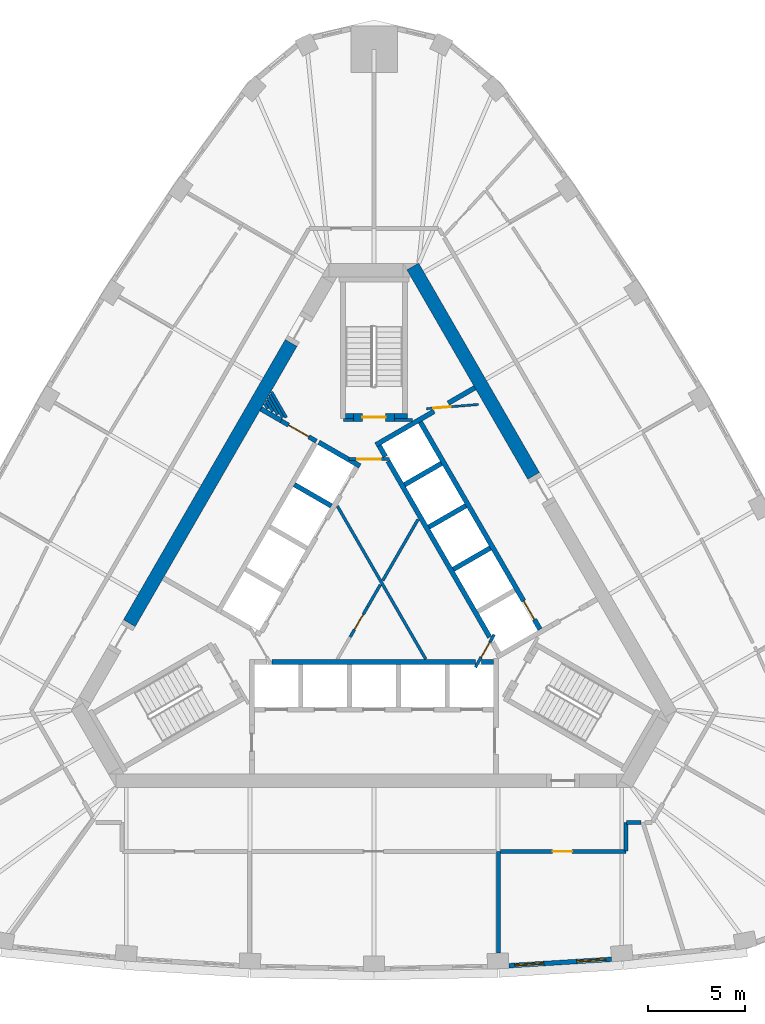
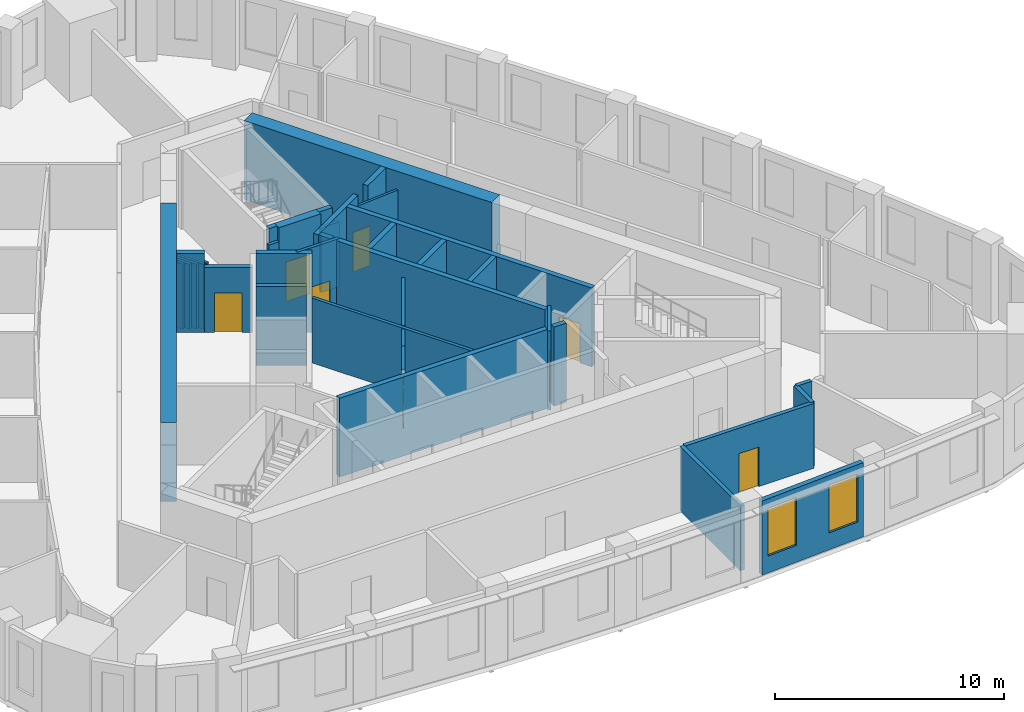
# One storey, part 5 of 11: 38 walls, 8 doors, 2 windows, 10 openings.
"""IFC4 building model written with IfcOpenShell, lengths in metres."""

from ifc_helpers import new_model, si_unit, direction, frame, frame_2d, origin, place, context, subcontext, project, spatial, polyline, rectangle, outline, extrude, material, layer, layer_set, type_object, element, fill, save


model = new_model("IFC4")

# Units and contexts
model_context = context("Model", 3, precision=1e-05, world=origin(), true_north=direction((0.0, 1.0)))
body_context = subcontext(model_context, "Body", "Model", "MODEL_VIEW")
ifc_project = project(units=[si_unit("LENGTHUNIT", "METRE"), si_unit("AREAUNIT", "SQUARE_METRE"), si_unit("VOLUMEUNIT", "CUBIC_METRE"), si_unit("PLANEANGLEUNIT", "RADIAN"), si_unit("MASSUNIT", "GRAM", prefix="KILO")], contexts=[model_context])

# Site, building, storey
site_placement = place(None, origin())
site = spatial("IfcSite", under=ifc_project, at=site_placement, CompositionType="ELEMENT")
building_placement = place(site_placement, origin())
building = spatial("IfcBuilding", under=site, at=building_placement, Name="Mestral Congress Tower", CompositionType="ELEMENT")
storey_placement = place(building_placement, frame((0.0, 0.0, 201.60009765625)))
storey = spatial("IfcBuildingStorey", under=building, at=storey_placement, Name="L47", CompositionType="ELEMENT", Elevation=201.60009765625)

# Walls
ifc_material_1 = material(Name="Fire-rated board partition")
ifc_layer_1 = layer(ifc_material_1, 0.14990234375)
ifc_layer_set_1 = layer_set([ifc_layer_1], Name="Fire-rated board partition")
wall_type_1 = type_object("IfcWallType", Name="Core partition 150", PredefinedType="PARTITIONING", material=ifc_layer_set_1)
wall_1_placement = place(storey_placement, frame((-5.2939453125, 10.067138671875, 0.0), z_axis=(0.0, 0.0, 1.0), x_axis=(0.500054140411, -0.865994143547, 0.0)))
element("IfcWall", 1, at=wall_1_placement, inside=storey, type_object=wall_type_1, Name="L47 core wall", PredefinedType="PARTITIONING", context=body_context, shape_type="SweptSolid", body=[
    extrude(rectangle(XDim=1.529052734375, YDim=0.14990234375, at=frame_2d((0.7646484375, 0.0))), origin(), (0.0, 0.0, 1.0), 3.449951171875),
])
wall_2_placement = place(storey_placement, frame((-5.380615234375, 9.917236328125, 0.0), z_axis=(0.0, 0.0, 1.0), x_axis=(0.500136970483, -0.865946309396, 0.0)))
element("IfcWall", 2, at=wall_2_placement, inside=storey, type_object=wall_type_1, Name="L47 core wall", PredefinedType="PARTITIONING", context=body_context, shape_type="SweptSolid", body=[
    extrude(rectangle(XDim=1.359375, YDim=0.14990234375, at=frame_2d((0.6796875, 0.0))), origin(), (0.0, 0.0, 1.0), 3.449951171875),
])
wall_3_placement = place(storey_placement, frame((-5.467041015625, 9.76708984375, 0.0), z_axis=(0.0, 0.0, 1.0), x_axis=(0.500168849293, -0.86592789665, 0.0)))
element("IfcWall", 3, at=wall_3_placement, inside=storey, type_object=wall_type_1, Name="L47 core wall", PredefinedType="PARTITIONING", context=body_context, shape_type="SweptSolid", body=[
    extrude(rectangle(XDim=1.010009765625, YDim=0.14990234375, at=frame_2d((0.5048828125, 0.0))), origin(), (0.0, 0.0, 1.0), 3.449951171875),
])
wall_4_placement = place(storey_placement, frame((-5.5537109375, 9.6171875, 0.0), z_axis=(0.0, 0.0, 1.0), x_axis=(0.500253084543, -0.86587923604, 0.0)))
element("IfcWall", 4, at=wall_4_placement, inside=storey, type_object=wall_type_1, Name="L47 core wall", PredefinedType="PARTITIONING", context=body_context, shape_type="SweptSolid", body=[
    extrude(rectangle(XDim=0.663818359375, YDim=0.14990234375, at=frame_2d((0.33203125, 0.0))), origin(), (0.0, 0.0, 1.0), 3.449951171875),
])
wall_5_placement = place(storey_placement, frame((-5.640380859375, 9.46728515625, 0.0), z_axis=(0.0, 0.0, 1.0), x_axis=(0.499944387978, -0.86605750902, 0.0)))
element("IfcWall", 5, at=wall_5_placement, inside=storey, type_object=wall_type_1, Name="L47 core wall", PredefinedType="PARTITIONING", context=body_context, shape_type="SweptSolid", body=[
    extrude(rectangle(XDim=0.3173828125, YDim=0.14990234375, at=frame_2d((0.15869140625, 0.0))), origin(), (0.0, 0.0, 1.0), 3.449951171875),
])
wall_6_placement = place(storey_placement, frame((1.050048828125, 8.62548828125, 0.0), z_axis=(0.0, 0.0, 1.0), x_axis=(1.0, 0.0, 0.0)))
element("IfcWall", 6, at=wall_6_placement, inside=storey, type_object=wall_type_1, Name="L47 core wall", PredefinedType="PARTITIONING", context=body_context, shape_type="SweptSolid", body=[
    extrude(rectangle(XDim=0.9287109375, YDim=0.14990234375, at=frame_2d((0.46435546875, 0.0))), origin(), (0.0, 0.0, 1.0), 3.449951171875),
])
wall_7_placement = place(storey_placement, frame((-1.56396484375, 8.62548828125, 0.0), z_axis=(0.0, 0.0, 1.0), x_axis=(1.0, 0.0, 0.0)))
element("IfcWall", 7, at=wall_7_placement, inside=storey, type_object=wall_type_1, Name="L47 core wall", PredefinedType="PARTITIONING", context=body_context, shape_type="SweptSolid", body=[
    extrude(rectangle(XDim=0.513916015625, YDim=0.14990234375, at=frame_2d((0.2568359375, 0.0))), origin(), (0.0, 0.0, 1.0), 3.449951171875),
])
wall_8_placement = place(storey_placement, frame((-1.886962890625, 4.168212890625, 0.0), z_axis=(0.0, 0.0, 1.0), x_axis=(0.499997069472, -0.866027095719, 0.0)))
element("IfcWall", 8, at=wall_8_placement, inside=storey, type_object=wall_type_1, Name="L47 core wall", PredefinedType="PARTITIONING", context=body_context, shape_type="SweptSolid", body=[
    extrude(rectangle(XDim=9.1064453125, YDim=0.14990234375, at=frame_2d((4.55322265625, 0.0))), origin(), (0.0, 0.0, 1.0), 3.449951171875),
])
wall_9_placement = place(storey_placement, frame((-0.329345703125, -1.0205078125, 0.0), z_axis=(0.0, 0.0, 1.0), x_axis=(0.500033191285, 0.866006239939, 0.0)))
element("IfcWall", 9, at=wall_9_placement, inside=storey, type_object=wall_type_1, Name="L47 core wall", PredefinedType="PARTITIONING", context=body_context, shape_type="SweptSolid", body=[
    extrude(rectangle(XDim=1.31494140625, YDim=0.14990234375, at=frame_2d((0.657470703125, 0.0))), origin(), (0.0, 0.0, 1.0), 3.449951171875),
])
wall_10_placement = place(storey_placement, frame((2.276611328125, 3.4931640625, 0.0), z_axis=(0.0, 0.0, 1.0), x_axis=(-0.499994550825, -0.866028549844, 0.0)))
element("IfcWall", 10, at=wall_10_placement, inside=storey, type_object=wall_type_1, Name="L47 core wall", PredefinedType="PARTITIONING", context=body_context, shape_type="SweptSolid", body=[
    extrude(rectangle(XDim=3.650390625, YDim=0.14990234375, at=frame_2d((1.8251953125, 0.0))), origin(), (0.0, 0.0, 1.0), 3.449951171875),
])

# Wall, opening, door
wall_11_placement = place(storey_placement, frame((-1.2294921875, -2.579345703125, 0.0), z_axis=(0.0, 0.0, 1.0), x_axis=(0.500062916607, 0.865989075817, 0.0)))
wall_11 = element("IfcWall", 11, at=wall_11_placement, inside=storey, type_object=wall_type_1, Name="L47 door wall", PredefinedType="PARTITIONING", context=body_context, shape_type="SweptSolid", body=[
    extrude(rectangle(XDim=1.800048828125, YDim=0.14990234375, at=frame_2d((0.89990234375, 0.0))), origin(), (0.0, 0.0, 1.0), 3.449951171875),
])
opening_1_placement = place(wall_11_placement, frame((0.449951171875, 0.0, 0.0)))
opening_1 = element("IfcOpeningElement", 12, at=opening_1_placement, cuts=wall_11, Name="Opening SD-HUB2", PredefinedType="OPENING", context=body_context, shape_type="SweptSolid", body=[
    extrude(rectangle(XDim=0.89990234375, YDim=2.10009765625, at=frame_2d((0.449951171875, 1.050048828125))), frame((0.0, 0.0849609375, 0.0), z_axis=(0.0, -1.0, 0.0), x_axis=(1.0, 0.0, 0.0)), (0.0, 0.0, 1.0), 0.169921875),
])
ifc_material_2 = material(Name="Fire-rated steel door set", Category="steel")
door_type_1 = type_object("IfcDoorType", Name="Core door SR 900x2100", OperationType="SINGLE_SWING_LEFT", PredefinedType="DOOR", material=ifc_material_2)
door_1_placement = place(opening_1_placement, origin())
door_1 = element("IfcDoor", 13, at=door_1_placement, inside=storey, type_object=door_type_1, Name="Door SD-HUB2", OperationType="SINGLE_SWING_LEFT", OverallHeight=2.10009765625, OverallWidth=0.89990234375, PredefinedType="DOOR", context=body_context, shape_type="SweptSolid", body=[
    extrude(rectangle(XDim=0.89990234375, YDim=2.10009765625, at=frame_2d((0.449951171875, 1.050048828125))), frame((0.0, 0.02490234375, 0.0), z_axis=(0.0, -1.0, 0.0), x_axis=(1.0, 0.0, 0.0)), (0.0, 0.0, 1.0), 0.050048828125),
])
fill(opening_1, door_1)

ifc_layer_2 = layer(ifc_material_1, 0.1201171875)
ifc_layer_set_2 = layer_set([ifc_layer_2], Name="Fire-rated board partition")
wall_type_2 = type_object("IfcWallType", Name="Core partition 150 door-wall 120", PredefinedType="PARTITIONING", material=ifc_layer_set_2)
wall_12_placement = place(storey_placement, frame((5.3984375, 9.418701171875, 0.0), z_axis=(0.0, 0.0, 1.0), x_axis=(-0.996653416376, -0.081743303248, 0.0)))
wall_12 = element("IfcWall", 14, at=wall_12_placement, inside=storey, type_object=wall_type_2, Name="L47 door wall", PredefinedType="PARTITIONING", context=body_context, shape_type="SweptSolid", body=[
    extrude(rectangle(XDim=2.699951171875, YDim=0.119873046875, at=frame_2d((1.35009765625, 0.0))), origin(), (0.0, 0.0, 1.0), 3.449951171875),
])
opening_2_placement = place(wall_12_placement, frame((1.449951171875, 0.0, 0.0)))
opening_2 = element("IfcOpeningElement", 15, at=opening_2_placement, cuts=wall_12, Name="Opening TD2", PredefinedType="OPENING", context=body_context, shape_type="SweptSolid", body=[
    extrude(rectangle(XDim=0.89990234375, YDim=2.10009765625, at=frame_2d((0.449951171875, 1.050048828125))), frame((0.0, 0.06982421875, 0.0), z_axis=(0.0, -1.0, 0.0), x_axis=(1.0, 0.0, 0.0)), (0.0, 0.0, 1.0), 0.139892578125),
])
door_2_placement = place(opening_2_placement, origin())
door_2 = element("IfcDoor", 16, at=door_2_placement, inside=storey, type_object=door_type_1, Name="Door TD2", OperationType="SINGLE_SWING_LEFT", OverallHeight=2.10009765625, OverallWidth=0.89990234375, PredefinedType="DOOR", context=body_context, shape_type="SweptSolid", body=[
    extrude(rectangle(XDim=0.89990234375, YDim=2.10009765625, at=frame_2d((0.449951171875, 1.050048828125))), frame((0.0, 0.02490234375, 0.0), z_axis=(0.0, -1.0, 0.0), x_axis=(1.0, 0.0, 0.0)), (0.0, 0.0, 1.0), 0.050048828125),
])
fill(opening_2, door_2)

ifc_layer_3 = layer(ifc_material_1, 0.22607421875)
ifc_layer_set_3 = layer_set([ifc_layer_3], Name="Fire-rated board partition")
wall_type_3 = type_object("IfcWallType", Name="Core partition 150 door-wall 226", PredefinedType="PARTITIONING", material=ifc_layer_set_3)
wall_13_placement = place(storey_placement, frame((-4.796142578125, 8.5751953125, 0.0), z_axis=(0.0, 0.0, 1.0), x_axis=(0.866009402589, -0.500027713859, 0.0)))
wall_13 = element("IfcWall", 17, at=wall_13_placement, inside=storey, type_object=wall_type_3, Name="L47 door wall", PredefinedType="PARTITIONING", context=body_context, shape_type="SweptSolid", body=[
    extrude(rectangle(XDim=2.10009765625, YDim=0.226318359375, at=frame_2d((1.050048828125, 0.0))), origin(), (0.0, 0.0, 1.0), 3.449951171875),
])
opening_3_placement = place(wall_13_placement, frame((0.449951171875, 0.0, 0.0)))
opening_3 = element("IfcOpeningElement", 18, at=opening_3_placement, cuts=wall_13, Name="Opening LB2-WL2", PredefinedType="OPENING", context=body_context, shape_type="SweptSolid", body=[
    extrude(rectangle(XDim=1.199951171875, YDim=2.10009765625, at=frame_2d((0.60009765625, 1.050048828125))), frame((0.0, 0.123046875, 0.0), z_axis=(0.0, -1.0, 0.0), x_axis=(1.0, 0.0, 0.0)), (0.0, 0.0, 1.0), 0.246337890625),
])
door_type_2 = type_object("IfcDoorType", Name="Core door LB 1200x2100", OperationType="SINGLE_SWING_LEFT", PredefinedType="DOOR", material=ifc_material_2)
door_3_placement = place(opening_3_placement, origin())
door_3 = element("IfcDoor", 19, at=door_3_placement, inside=storey, type_object=door_type_2, Name="Door LB2-WL2", OperationType="SINGLE_SWING_LEFT", OverallHeight=2.10009765625, OverallWidth=1.199951171875, PredefinedType="DOOR", context=body_context, shape_type="SweptSolid", body=[
    extrude(rectangle(XDim=1.199951171875, YDim=2.10009765625, at=frame_2d((0.60009765625, 1.050048828125))), frame((0.0, 0.02490234375, 0.0), z_axis=(0.0, -1.0, 0.0), x_axis=(1.0, 0.0, 0.0)), (0.0, 0.0, 1.0), 0.050048828125),
])
fill(opening_3, door_3)

# Walls
ifc_material_3 = material(Name="Concrete C60/75", Category="concrete")
ifc_layer_4 = layer(ifc_material_3, 0.699951171875)
ifc_layer_set_4 = layer_set([ifc_layer_4], Name="Concrete C60/75")
wall_type_4 = type_object("IfcWallType", Name="Core wall RC 700", PredefinedType="SOLIDWALL", material=ifc_layer_set_4)
wall_14_placement = place(storey_placement, frame((8.235107421875, 5.736083984375, 0.0), z_axis=(0.0, 0.0, 1.0), x_axis=(-0.499983401189, 0.8660349869, 0.0)))
element("IfcWall", 20, at=wall_14_placement, inside=storey, type_object=wall_type_4, Name="L47 core wall", PredefinedType="SOLIDWALL", context=body_context, shape_type="SweptSolid", body=[
    extrude(rectangle(XDim=12.47216796875, YDim=0.699951171875, at=frame_2d((6.236083984375, 0.0))), origin(), (0.0, 0.0, 1.0), 4.199951171875),
])
wall_15_placement = place(storey_placement, frame((-12.624755859375, -1.866943359375, 0.0), z_axis=(0.0, 0.0, 1.0), x_axis=(0.499998841866, 0.866026072432, 0.0)))
element("IfcWall", 21, at=wall_15_placement, inside=storey, type_object=wall_type_4, Name="L47 core wall", PredefinedType="SOLIDWALL", context=body_context, shape_type="SweptSolid", body=[
    extrude(rectangle(XDim=16.6943359375, YDim=0.699951171875, at=frame_2d((8.34716796875, 0.0))), origin(), (0.0, 0.0, 1.0), 4.199951171875),
])

# Wall, openings, windows
ifc_material_4 = material(Name="Precast concrete C40/50 with limestone facing", Category="masonry")
ifc_layer_5 = layer(ifc_material_4, 0.239990234375)
ifc_layer_set_5 = layer_set([ifc_layer_5], Name="Precast concrete C40/50 with limestone facing")
wall_type_5 = type_object("IfcWallType", Name="Facade stone wall 240", PredefinedType="SOLIDWALL", material=ifc_layer_set_5)
wall_16_placement = place(storey_placement, frame((6.965087890625, -19.54296875, 0.0), z_axis=(0.0, 0.0, 1.0), x_axis=(0.9980633213, 0.062206162685, 0.0)))
wall_16 = element("IfcWall", 22, at=wall_16_placement, inside=storey, type_object=wall_type_5, Name="Facade wall F0-04", PredefinedType="SOLIDWALL", context=body_context, shape_type="SweptSolid", body=[
    extrude(rectangle(XDim=5.29833984375, YDim=0.239990234375, at=frame_2d((2.649169921875, 0.0))), origin(), (0.0, 0.0, 1.0), 3.949951171875),
])
opening_4_placement = place(wall_16_placement, frame((0.294677734375, 0.0, 0.89990234375)))
opening_4 = element("IfcOpeningElement", 23, at=opening_4_placement, cuts=wall_16, Name="Opening W4", PredefinedType="OPENING", context=body_context, shape_type="SweptSolid", body=[
    extrude(rectangle(XDim=1.5, YDim=2.550048828125, at=frame_2d((0.75, 1.27490234375))), frame((0.0, 0.1298828125, 0.0), z_axis=(0.0, -1.0, 0.0), x_axis=(1.0, 0.0, 0.0)), (0.0, 0.0, 1.0), 0.260009765625),
])
opening_5_placement = place(wall_16_placement, frame((3.503662109375, 0.0, 0.89990234375)))
opening_5 = element("IfcOpeningElement", 24, at=opening_5_placement, cuts=wall_16, Name="Opening W4", PredefinedType="OPENING", context=body_context, shape_type="SweptSolid", body=[
    extrude(rectangle(XDim=1.5, YDim=2.550048828125, at=frame_2d((0.75, 1.27490234375))), frame((0.0, 0.1298828125, 0.0), z_axis=(0.0, -1.0, 0.0), x_axis=(1.0, 0.0, 0.0)), (0.0, 0.0, 1.0), 0.260009765625),
])
ifc_material_5 = material(Name="Clear low-emissivity double glazing", Category="glass")
window_type = type_object("IfcWindowType", Name="Facade punched window 1500 x 2550 sill 900", PartitioningType="SINGLE_PANEL", PredefinedType="WINDOW", material=ifc_material_5)
window_1_placement = place(opening_4_placement, origin())
window_1 = element("IfcWindow", 25, at=window_1_placement, inside=storey, type_object=window_type, Name="Window F0-04a", OverallHeight=2.550048828125, OverallWidth=1.5, PartitioningType="SINGLE_PANEL", PredefinedType="WINDOW", context=body_context, shape_type="SweptSolid", body=[
    extrude(rectangle(XDim=1.5, YDim=2.550048828125, at=frame_2d((0.75, 1.27490234375))), frame((0.0, 0.0400390625, 0.0), z_axis=(0.0, -1.0, 0.0), x_axis=(1.0, 0.0, 0.0)), (0.0, 0.0, 1.0), 0.06005859375),
])
fill(opening_4, window_1)
window_2_placement = place(opening_5_placement, origin())
window_2 = element("IfcWindow", 26, at=window_2_placement, inside=storey, type_object=window_type, Name="Window F0-04b", OverallHeight=2.550048828125, OverallWidth=1.5, PartitioningType="SINGLE_PANEL", PredefinedType="WINDOW", context=body_context, shape_type="SweptSolid", body=[
    extrude(rectangle(XDim=1.5, YDim=2.550048828125, at=frame_2d((0.75, 1.27490234375))), frame((0.0, 0.0400390625, 0.0), z_axis=(0.0, -1.0, 0.0), x_axis=(1.0, 0.0, 0.0)), (0.0, 0.0, 1.0), 0.06005859375),
])
fill(opening_5, window_2)

# Wall
ifc_material_6 = material(Name="Dense masonry wall, plastered", Category="masonry")
ifc_layer_6 = layer(ifc_material_6, 0.199951171875)
ifc_layer_set_6 = layer_set([ifc_layer_6], Name="Dense masonry wall, plastered")
wall_type_6 = type_object("IfcWallType", Name="Office tenancy wall 200", PredefinedType="PARTITIONING", material=ifc_layer_set_6)
wall_17_placement = place(storey_placement, frame((6.416748046875, -13.64990234375, 0.0), z_axis=(0.0, 0.0, 1.0), x_axis=(0.0, -1.0, 0.0)))
element("IfcWall", 27, at=wall_17_placement, inside=storey, type_object=wall_type_6, Name="Tenancy wall", PredefinedType="PARTITIONING", context=body_context, shape_type="SweptSolid", body=[
    extrude(rectangle(XDim=5.246826171875, YDim=0.199951171875, at=frame_2d((2.62353515625, 0.0))), origin(), (0.0, 0.0, 1.0), 3.449951171875),
])

# Wall, opening, door
wall_18_placement = place(storey_placement, frame((6.516845703125, -13.64990234375, 0.0), z_axis=(0.0, 0.0, 1.0), x_axis=(1.0, 0.0, 0.0)))
wall_18 = element("IfcWall", 28, at=wall_18_placement, inside=storey, type_object=wall_type_6, Name="Tenancy wall", PredefinedType="PARTITIONING", context=body_context, shape_type="SweptSolid", body=[
    extrude(rectangle(XDim=6.483154296875, YDim=0.199951171875, at=frame_2d((3.24169921875, 0.0))), origin(), (0.0, 0.0, 1.0), 3.449951171875),
])
opening_6_placement = place(wall_18_placement, frame((2.699951171875, 0.0, 0.0)))
opening_6 = element("IfcOpeningElement", 29, at=opening_6_placement, cuts=wall_18, Name="Opening O06-003", PredefinedType="OPENING", context=body_context, shape_type="SweptSolid", body=[
    extrude(rectangle(XDim=1.0, YDim=2.10009765625, at=frame_2d((0.5, 1.050048828125))), frame((0.0, 0.10986328125, 0.0), z_axis=(0.0, -1.0, 0.0), x_axis=(1.0, 0.0, 0.0)), (0.0, 0.0, 1.0), 0.219970703125),
])
ifc_material_7 = material(Name="Fire-rated timber door set", Category="wood")
door_type_3 = type_object("IfcDoorType", Name="Office tenancy entrance door 1000x2100", OperationType="SINGLE_SWING_LEFT", PredefinedType="DOOR", material=ifc_material_7)
door_4_placement = place(opening_6_placement, origin())
door_4 = element("IfcDoor", 30, at=door_4_placement, inside=storey, type_object=door_type_3, Name="Door O06-003", OperationType="SINGLE_SWING_LEFT", OverallHeight=2.10009765625, OverallWidth=1.0, PredefinedType="DOOR", context=body_context, shape_type="SweptSolid", body=[
    extrude(rectangle(XDim=1.0, YDim=2.10009765625, at=frame_2d((0.5, 1.050048828125))), frame((0.0, 0.02490234375, 0.0), z_axis=(0.0, -1.0, 0.0), x_axis=(1.0, 0.0, 0.0)), (0.0, 0.0, 1.0), 0.050048828125),
])
fill(opening_6, door_4)

# Walls
wall_19_placement = place(storey_placement, frame((13.0, -13.6201171875, 0.0), z_axis=(0.0, 0.0, 1.0), x_axis=(0.0, 1.0, 0.0)))
element("IfcWall", 31, at=wall_19_placement, inside=storey, type_object=wall_type_6, Name="Tenancy wall", PredefinedType="PARTITIONING", context=body_context, shape_type="SweptSolid", body=[
    extrude(rectangle(XDim=1.47021484375, YDim=0.199951171875, at=frame_2d((0.735107421875, 0.0))), origin(), (0.0, 0.0, 1.0), 3.449951171875),
])
wall_20_placement = place(storey_placement, frame((13.030029296875, -12.14990234375, 0.0), z_axis=(0.0, 0.0, 1.0), x_axis=(1.0, 0.0, 0.0)))
element("IfcWall", 32, at=wall_20_placement, inside=storey, type_object=wall_type_6, Name="Tenancy wall", PredefinedType="PARTITIONING", context=body_context, shape_type="SweptSolid", body=[
    extrude(rectangle(XDim=0.740234375, YDim=0.199951171875, at=frame_2d((0.3701171875, 0.0))), origin(), (0.0, 0.0, 1.0), 3.449951171875),
])
ifc_layer_7 = layer(ifc_material_3, 0.25)
ifc_layer_set_7 = layer_set([ifc_layer_7], Name="Concrete C60/75")
wall_type_7 = type_object("IfcWallType", Name="Shaft wall RC 250", PredefinedType="SOLIDWALL", material=ifc_layer_set_7)
wall_21_placement = place(storey_placement, frame((-5.25927734375, -3.875, 0.0), z_axis=(0.0, 0.0, 1.0), x_axis=(1.0, 0.0, 0.0)))
element("IfcWall", 33, at=wall_21_placement, inside=storey, type_object=wall_type_7, Name="L47 core wall", PredefinedType="SOLIDWALL", context=body_context, shape_type="SweptSolid", body=[
    extrude(rectangle(XDim=10.488525390625, YDim=0.25, at=frame_2d((5.244140625, 0.0))), origin(), (0.0, 0.0, 1.0), 4.199951171875),
])
wall_22_placement = place(storey_placement, frame((5.538330078125, -3.875, 0.0), z_axis=(0.0, 0.0, 1.0), x_axis=(1.0, 0.0, 0.0)))
element("IfcWall", 34, at=wall_22_placement, inside=storey, type_object=wall_type_7, Name="L47 core wall", PredefinedType="SOLIDWALL", context=body_context, shape_type="SweptSolid", body=[
    extrude(rectangle(XDim=0.63671875, YDim=0.25, at=frame_2d((0.318359375, 0.0))), origin(), (0.0, 0.0, 1.0), 4.199951171875),
])
wall_23_placement = place(storey_placement, frame((3.10009765625, 9.064453125, 0.0), z_axis=(0.0, 0.0, 1.0), x_axis=(-0.866033137035, -0.499986605379, 0.0)))
element("IfcWall", 35, at=wall_23_placement, inside=storey, type_object=wall_type_7, Name="L47 core wall", PredefinedType="SOLIDWALL", context=body_context, shape_type="SweptSolid", body=[
    extrude(rectangle(XDim=3.466796875, YDim=0.25, at=frame_2d((1.7333984375, 0.0))), origin(), (0.0, 0.0, 1.0), 4.199951171875),
])
wall_24_placement = place(storey_placement, frame((0.268310546875, 7.28515625, 0.0), z_axis=(0.0, 0.0, 1.0), x_axis=(0.500098681536, -0.865968422476, 0.0)))
element("IfcWall", 36, at=wall_24_placement, inside=storey, type_object=wall_type_7, Name="L47 core wall", PredefinedType="SOLIDWALL", context=body_context, shape_type="SweptSolid", body=[
    extrude(rectangle(XDim=0.636474609375, YDim=0.25, at=frame_2d((0.318359375, 0.0))), origin(), (0.0, 0.0, 1.0), 4.199951171875),
])
wall_25_placement = place(storey_placement, frame((5.970458984375, -2.591064453125, 0.0), z_axis=(0.0, 0.0, 1.0), x_axis=(-0.499994469932, 0.866028596547, 0.0)))
element("IfcWall", 37, at=wall_25_placement, inside=storey, type_object=wall_type_7, Name="L47 core wall", PredefinedType="SOLIDWALL", context=body_context, shape_type="SweptSolid", body=[
    extrude(rectangle(XDim=10.48828125, YDim=0.25, at=frame_2d((5.244140625, 0.0))), origin(), (0.0, 0.0, 1.0), 4.199951171875),
])
wall_26_placement = place(storey_placement, frame((1.57421875, 5.273681640625, 0.0), z_axis=(0.0, 0.0, 1.0), x_axis=(0.866028486751, 0.499994660107, 0.0)))
element("IfcWall", 38, at=wall_26_placement, inside=storey, type_object=wall_type_7, Name="L47 core wall", PredefinedType="SOLIDWALL", context=body_context, shape_type="SweptSolid", body=[
    extrude(rectangle(XDim=2.19970703125, YDim=0.25, at=frame_2d((1.099853515625, 0.0))), origin(), (0.0, 0.0, 1.0), 4.199951171875),
])
for number, where, z_axis, x_axis, name in (
    (39, (2.833984375, 3.091064453125, 0.0), (0.0, 0.0, 1.0), (0.866008176907, 0.50002983664, 0.0), "L47 core wall"),
    (40, (4.093994140625, 0.90869140625, 0.0), (0.0, 0.0, 1.0), (0.866008176907, 0.50002983664, 0.0), "L47 core wall"),
):
    element("IfcWall", number, at=place(storey_placement, frame(where, z_axis=z_axis, x_axis=x_axis)), inside=storey, type_object=wall_type_7, Name=name, PredefinedType="SOLIDWALL", context=body_context, shape_type="SweptSolid", body=[
        extrude(rectangle(XDim=2.199951171875, YDim=0.25, at=frame_2d((1.10009765625, 0.0))), origin(), (0.0, 0.0, 1.0), 4.199951171875),
    ])
wall_27_placement = place(storey_placement, frame((3.82958984375, 9.485595703125, 0.0), z_axis=(0.0, 0.0, 1.0), x_axis=(0.865986202621, 0.500067892261, 0.0)))
element("IfcWall", 41, at=wall_27_placement, inside=storey, type_object=wall_type_7, Name="L47 core wall", PredefinedType="SOLIDWALL", context=body_context, shape_type="SweptSolid", body=[
    extrude(rectangle(XDim=1.590576171875, YDim=0.25, at=frame_2d((0.79541015625, 0.0))), origin(), (0.0, 0.0, 1.0), 4.199951171875),
])
wall_28_placement = place(storey_placement, origin())
element("IfcWall", 42, at=wall_28_placement, inside=storey, type_object=wall_type_7, Name="L47 core wall", PredefinedType="SOLIDWALL", context=body_context, shape_type="SweptSolid", body=[
    extrude(outline(polyline([(-2.911865234375, 7.3564453125), (-2.786865234375, 7.572998046875), (-1.231689453125, 6.675048828125), (-1.303466796875, 6.675048828125), (-1.3037109375, 6.675048828125), (-1.3037109375, 6.675048828125), (-1.3037109375, 6.52490234375), (-1.3037109375, 6.52490234375), (-1.303466796875, 6.52490234375), (-0.971435546875, 6.52490234375), (-0.6650390625, 6.347900390625), (-0.7900390625, 6.131591796875), (-1.006591796875, 6.256591796875), (-1.006591796875, 6.256591796875), (-2.911865234375, 7.3564453125)])), origin(), (0.0, 0.0, 1.0), 4.199951171875),
])
wall_29_placement = place(storey_placement, frame((-2.2041015625, 4.182373046875, 0.0), z_axis=(0.0, 0.0, 1.0), x_axis=(-0.866008176907, 0.50002983664, 0.0)))
element("IfcWall", 43, at=wall_29_placement, inside=storey, type_object=wall_type_7, Name="L47 core wall", PredefinedType="SOLIDWALL", context=body_context, shape_type="SweptSolid", body=[
    extrude(rectangle(XDim=2.199951171875, YDim=0.25, at=frame_2d((1.10009765625, 0.0))), origin(), (0.0, 0.0, 1.0), 4.199951171875),
])
wall_30_placement = place(storey_placement, frame((-5.837158203125, 9.189697265625, 0.0), z_axis=(0.0, 0.0, 1.0), x_axis=(0.866024298998, -0.500001913541, 0.0)))
element("IfcWall", 44, at=wall_30_placement, inside=storey, type_object=wall_type_7, Name="L47 core wall", PredefinedType="SOLIDWALL", context=body_context, shape_type="SweptSolid", body=[
    extrude(rectangle(XDim=1.2099609375, YDim=0.25, at=frame_2d((0.60498046875, 0.0))), origin(), (0.0, 0.0, 1.0), 4.199951171875),
])

# Wall, opening, door
wall_31_placement = place(storey_placement, frame((8.565185546875, -2.185302734375, 0.0), z_axis=(0.0, 0.0, 1.0), x_axis=(-0.499997954832, 0.866026584559, 0.0)))
wall_31 = element("IfcWall", 45, at=wall_31_placement, inside=storey, type_object=wall_type_7, Name="L47 door wall", PredefinedType="SOLIDWALL", context=body_context, shape_type="SweptSolid", body=[
    extrude(rectangle(XDim=12.35009765625, YDim=0.25, at=frame_2d((6.175048828125, 0.0))), origin(), (0.0, 0.0, 1.0), 4.199951171875),
])
opening_7_placement = place(wall_31_placement, frame((0.5849609375, 0.0, 0.0)))
opening_7 = element("IfcOpeningElement", 46, at=opening_7_placement, cuts=wall_31, Name="Opening LD-NEB1", PredefinedType="OPENING", context=body_context, shape_type="SweptSolid", body=[
    extrude(rectangle(XDim=1.10009765625, YDim=2.10009765625, at=frame_2d((0.550048828125, 1.050048828125))), frame((0.0, 0.135009765625, 0.0), z_axis=(0.0, -1.0, 0.0), x_axis=(1.0, 0.0, 0.0)), (0.0, 0.0, 1.0), 0.27001953125),
])
door_type_4 = type_object("IfcDoorType", Name="Core door LD 1100x2100", OperationType="DOUBLE_DOOR_SLIDING", PredefinedType="DOOR", material=ifc_material_2)
door_5_placement = place(opening_7_placement, origin())
door_5 = element("IfcDoor", 47, at=door_5_placement, inside=storey, type_object=door_type_4, Name="Door LD-NEB1", OperationType="DOUBLE_DOOR_SLIDING", OverallHeight=2.10009765625, OverallWidth=1.10009765625, PredefinedType="DOOR", context=body_context, shape_type="SweptSolid", body=[
    extrude(rectangle(XDim=1.10009765625, YDim=2.10009765625, at=frame_2d((0.550048828125, 1.050048828125))), frame((0.0, 0.02490234375, 0.0), z_axis=(0.0, -1.0, 0.0), x_axis=(1.0, 0.0, 0.0)), (0.0, 0.0, 1.0), 0.050048828125),
])
fill(opening_7, door_5)

ifc_layer_8 = layer(ifc_material_3, 0.14990234375)
ifc_layer_set_8 = layer_set([ifc_layer_8], Name="Concrete C60/75")
wall_type_8 = type_object("IfcWallType", Name="Shaft wall RC 250 door-wall 150", PredefinedType="SOLIDWALL", material=ifc_layer_set_8)
wall_32_placement = place(storey_placement, frame((6.203369140625, -2.45556640625, 0.0), z_axis=(0.0, 0.0, 1.0), x_axis=(-0.500043961785, -0.866000020948, 0.0)))
wall_32 = element("IfcWall", 48, at=wall_32_placement, inside=storey, type_object=wall_type_8, Name="L47 door wall", PredefinedType="PARTITIONING", context=body_context, shape_type="SweptSolid", body=[
    extrude(rectangle(XDim=1.949951171875, YDim=0.14990234375, at=frame_2d((0.97509765625, 0.0))), origin(), (0.0, 0.0, 1.0), 4.199951171875),
])
opening_8_placement = place(wall_32_placement, frame((0.449951171875, 0.0, 0.0)))
opening_8 = element("IfcOpeningElement", 49, at=opening_8_placement, cuts=wall_32, Name="Opening CD1-HUB0", PredefinedType="OPENING", context=body_context, shape_type="SweptSolid", body=[
    extrude(rectangle(XDim=0.89990234375, YDim=2.10009765625, at=frame_2d((0.449951171875, 1.050048828125))), frame((0.0, 0.0849609375, 0.0), z_axis=(0.0, -1.0, 0.0), x_axis=(1.0, 0.0, 0.0)), (0.0, 0.0, 1.0), 0.169921875),
])
door_type_5 = type_object("IfcDoorType", Name="Core door CD 900x2100", OperationType="SINGLE_SWING_LEFT", PredefinedType="DOOR", material=ifc_material_2)
door_6_placement = place(opening_8_placement, origin())
door_6 = element("IfcDoor", 50, at=door_6_placement, inside=storey, type_object=door_type_5, Name="Door CD1-HUB0", OperationType="SINGLE_SWING_LEFT", OverallHeight=2.10009765625, OverallWidth=0.89990234375, PredefinedType="DOOR", context=body_context, shape_type="SweptSolid", body=[
    extrude(rectangle(XDim=0.89990234375, YDim=2.10009765625, at=frame_2d((0.449951171875, 1.050048828125))), frame((0.0, 0.02490234375, 0.0), z_axis=(0.0, -1.0, 0.0), x_axis=(1.0, 0.0, 0.0)), (0.0, 0.0, 1.0), 0.050048828125),
])
fill(opening_8, door_6)

wall_33_placement = place(storey_placement, frame((-1.303466796875, 6.60009765625, 0.0), z_axis=(0.0, 0.0, 1.0), x_axis=(1.0, 0.0, 0.0)))
wall_33 = element("IfcWall", 51, at=wall_33_placement, inside=storey, type_object=wall_type_8, Name="L47 door wall", PredefinedType="PARTITIONING", context=body_context, shape_type="SweptSolid", body=[
    extrude(rectangle(XDim=2.099853515625, YDim=0.14990234375, at=frame_2d((1.0498046875, 0.0))), origin(), (0.0, 0.0, 1.0), 4.199951171875),
])
opening_9_placement = place(wall_33_placement, frame((0.449951171875, 0.0, 0.0)))
opening_9 = element("IfcOpeningElement", 52, at=opening_9_placement, cuts=wall_33, Name="Opening CD2-HUB1", PredefinedType="OPENING", context=body_context, shape_type="SweptSolid", body=[
    extrude(rectangle(XDim=1.199951171875, YDim=2.10009765625, at=frame_2d((0.60009765625, 1.050048828125))), frame((0.0, 0.0849609375, 0.0), z_axis=(0.0, -1.0, 0.0), x_axis=(1.0, 0.0, 0.0)), (0.0, 0.0, 1.0), 0.169921875),
])
door_type_6 = type_object("IfcDoorType", Name="Core door CD 1200x2100", OperationType="SINGLE_SWING_LEFT", PredefinedType="DOOR", material=ifc_material_2)
door_7_placement = place(opening_9_placement, origin())
door_7 = element("IfcDoor", 53, at=door_7_placement, inside=storey, type_object=door_type_6, Name="Door CD2-HUB1", OperationType="SINGLE_SWING_LEFT", OverallHeight=2.10009765625, OverallWidth=1.199951171875, PredefinedType="DOOR", context=body_context, shape_type="SweptSolid", body=[
    extrude(rectangle(XDim=1.199951171875, YDim=2.10009765625, at=frame_2d((0.60009765625, 1.050048828125))), frame((0.0, 0.02490234375, 0.0), z_axis=(0.0, -1.0, 0.0), x_axis=(1.0, 0.0, 0.0)), (0.0, 0.0, 1.0), 0.050048828125),
])
fill(opening_9, door_7)

# Walls
ifc_layer_9 = layer(ifc_material_3, 0.25)
ifc_layer_set_9 = layer_set([ifc_layer_9], Name="Concrete C60/75")
wall_type_9 = type_object("IfcWallType", Name="Stair wall RC 250", PredefinedType="SOLIDWALL", material=ifc_layer_set_9)
wall_34_placement = place(storey_placement, frame((1.050048828125, 8.824951171875, 0.0), z_axis=(0.0, 0.0, 1.0), x_axis=(1.0, 0.0, 0.0)))
element("IfcWall", 54, at=wall_34_placement, inside=storey, type_object=wall_type_9, Name="L47 core wall", PredefinedType="SOLIDWALL", context=body_context, shape_type="SweptSolid", body=[
    extrude(rectangle(XDim=0.675048828125, YDim=0.25, at=frame_2d((0.33740234375, 0.0))), origin(), (0.0, 0.0, 1.0), 4.199951171875),
])
wall_35_placement = place(storey_placement, frame((-1.47509765625, 8.824951171875, 0.0), z_axis=(0.0, 0.0, 1.0), x_axis=(1.0, 0.0, 0.0)))
element("IfcWall", 55, at=wall_35_placement, inside=storey, type_object=wall_type_9, Name="L47 core wall", PredefinedType="SOLIDWALL", context=body_context, shape_type="SweptSolid", body=[
    extrude(rectangle(XDim=0.425048828125, YDim=0.25, at=frame_2d((0.21240234375, 0.0))), origin(), (0.0, 0.0, 1.0), 4.199951171875),
])

# Wall, opening, door
ifc_layer_10 = layer(ifc_material_3, 0.39990234375)
ifc_layer_set_10 = layer_set([ifc_layer_10], Name="Concrete C60/75")
wall_type_10 = type_object("IfcWallType", Name="Stair wall RC 250 door-wall 400", PredefinedType="SOLIDWALL", material=ifc_layer_set_10)
wall_36_placement = place(storey_placement, frame((1.050048828125, 8.75, 0.0), z_axis=(0.0, 0.0, 1.0), x_axis=(-1.0, 0.0, 0.0)))
wall_36 = element("IfcWall", 56, at=wall_36_placement, inside=storey, type_object=wall_type_10, Name="L47 door wall", PredefinedType="SOLIDWALL", context=body_context, shape_type="SweptSolid", body=[
    extrude(rectangle(XDim=2.10009765625, YDim=0.39990234375, at=frame_2d((1.050048828125, 0.0))), origin(), (0.0, 0.0, 1.0), 4.199951171875),
])
opening_10_placement = place(wall_36_placement, frame((0.449951171875, 0.0, 0.0)))
opening_10 = element("IfcOpeningElement", 57, at=opening_10_placement, cuts=wall_36, Name="Opening ST-D2", PredefinedType="OPENING", context=body_context, shape_type="SweptSolid", body=[
    extrude(rectangle(XDim=1.199951171875, YDim=2.10009765625, at=frame_2d((0.60009765625, 1.050048828125))), frame((0.0, 0.2099609375, 0.0), z_axis=(0.0, -1.0, 0.0), x_axis=(1.0, 0.0, 0.0)), (0.0, 0.0, 1.0), 0.419921875),
])
door_type_7 = type_object("IfcDoorType", Name="Core door ST 1200x2100", OperationType="SINGLE_SWING_LEFT", PredefinedType="DOOR", material=ifc_material_2)
door_8_placement = place(opening_10_placement, origin())
door_8 = element("IfcDoor", 58, at=door_8_placement, inside=storey, type_object=door_type_7, Name="Door ST-D2", OperationType="SINGLE_SWING_LEFT", OverallHeight=2.10009765625, OverallWidth=1.199951171875, PredefinedType="DOOR", context=body_context, shape_type="SweptSolid", body=[
    extrude(rectangle(XDim=1.199951171875, YDim=2.10009765625, at=frame_2d((0.60009765625, 1.050048828125))), frame((0.0, 0.02490234375, 0.0), z_axis=(0.0, -1.0, 0.0), x_axis=(1.0, 0.0, 0.0)), (0.0, 0.0, 1.0), 0.050048828125),
])
fill(opening_10, door_8)

save(model, "model.ifc")
